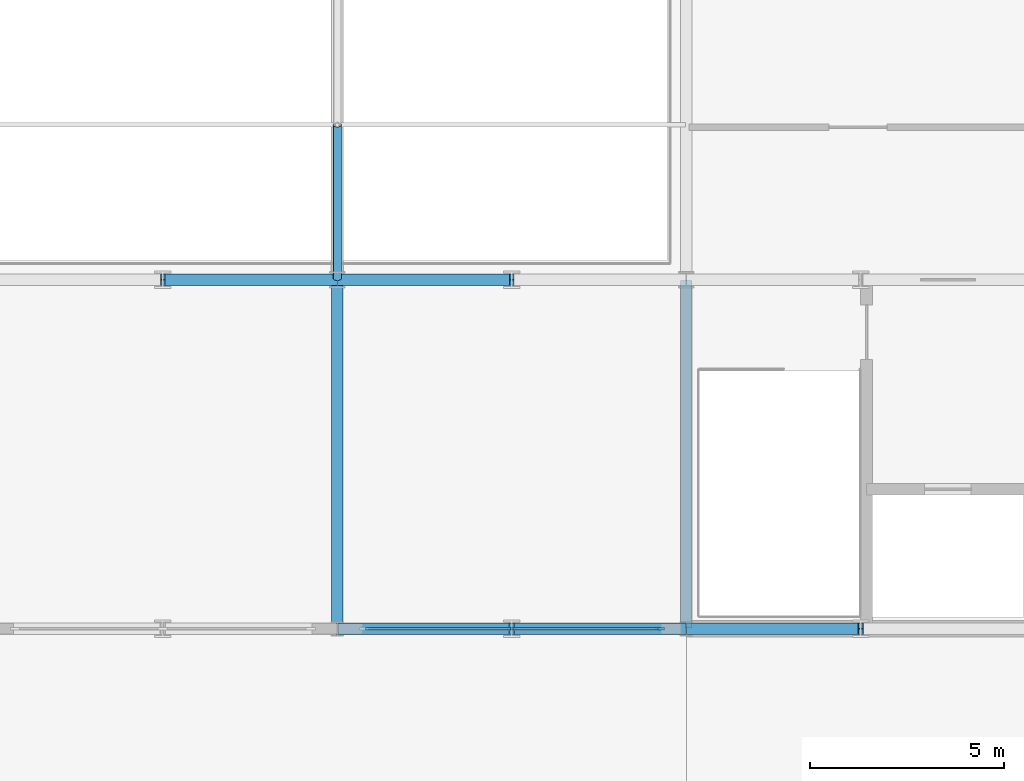
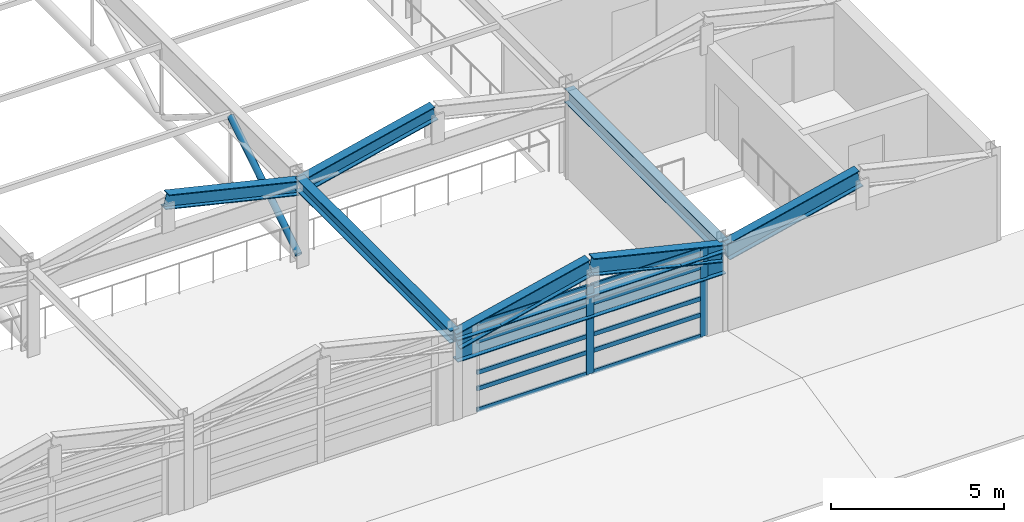
# One storey, part 27 of 91: 13 members, 8 beams, 1 element without a shape of its own.
"""IFC4 building model written with IfcOpenShell, lengths in metres."""

from ifc_helpers import new_model, si_unit, direction, frame, origin, origin_2d, place, context, subcontext, project, spatial, rectangle, hollow_circle, i_section, extrude, material, material_profile, profile_set, type_object, element, aggregate, save


model = new_model("IFC4")

# Units and contexts
model_context = context("Model", 3, precision=1e-05, world=origin(), true_north=direction((0.0, 1.0)))
body_context = subcontext(model_context, "Body", "Model", "MODEL_VIEW")
ifc_project = project(units=[si_unit("LENGTHUNIT", "METRE"), si_unit("AREAUNIT", "SQUARE_METRE"), si_unit("VOLUMEUNIT", "CUBIC_METRE"), si_unit("PLANEANGLEUNIT", "RADIAN"), si_unit("MASSUNIT", "GRAM", prefix="KILO")], contexts=[model_context])

# Site, building, storey
site_placement = place(None, origin())
site = spatial("IfcSite", under=ifc_project, at=site_placement, CompositionType="ELEMENT")
building_placement = place(site_placement, origin())
building = spatial("IfcBuilding", under=site, at=building_placement, Name="Palais des Congres Ocreval", CompositionType="ELEMENT")
storey_placement = place(building_placement, frame((0.0, 0.0, 8.159912109375)))
storey = spatial("IfcBuildingStorey", under=building, at=storey_placement, Name="L02", CompositionType="ELEMENT", Elevation=8.159912109375)

# Curtain wall, members
ifc_material_1 = material(Name="Anodized bronze aluminium and low-E glass", Category="glass")
curtain_wall_type = type_object("IfcCurtainWallType", Name="Unitised Curtain Wall 7900x3120", PredefinedType="USERDEFINED", material=ifc_material_1)
curtain_wall_placement = place(storey_placement, origin())
curtain_wall = element("IfcCurtainWall", 1, at=curtain_wall_placement, inside=storey, type_object=curtain_wall_type, Name="Unitised Curtain Wall CW03 L02", ObjectType="UNITISED CURTAIN WALL", PredefinedType="USERDEFINED")
ifc_material_2 = material(Name="Anodized bronze aluminium", Category="aluminium")
ifc_material_profile_1 = material_profile(ifc_material_2, rectangle(XDim=0.074951171875, YDim=0.239990234375, at=origin_2d()), Name="ALU 75x240")
ifc_profile_set_1 = profile_set([ifc_material_profile_1], Name="Anodized bronze aluminium")
member_type_1 = type_object("IfcMemberType", Name="Curtain Wall Mullion ALU 75x240", PredefinedType="MULLION", material=ifc_profile_set_1)
member_1_placement = place(storey_placement, frame((44.3125, 81.0, 0.0), z_axis=(0.0, 0.0, 1.0), x_axis=(0.0, -1.0, 0.0)))
member_1 = element("IfcMember", 2, at=member_1_placement, type_object=member_type_1, Name="Curtain Wall Mullion ML01", PredefinedType="MULLION", context=body_context, shape_type="SweptSolid", body=[
    extrude(rectangle(XDim=0.074951171875, YDim=0.239990234375, at=origin_2d()), origin(), (0.0, 0.0, 1.0), 3.110107421875),
])
member_2_placement = place(storey_placement, frame((40.5, 81.0, 0.0), z_axis=(0.0, 0.0, 1.0), x_axis=(0.0, -1.0, 0.0)))
member_2 = element("IfcMember", 3, at=member_2_placement, type_object=member_type_1, Name="Curtain Wall Mullion ML01", PredefinedType="MULLION", context=body_context, shape_type="SweptSolid", body=[
    extrude(rectangle(XDim=0.074951171875, YDim=0.239990234375, at=origin_2d()), origin(), (0.0, 0.0, 1.0), 3.110107421875),
])
ifc_material_profile_2 = material_profile(ifc_material_2, rectangle(XDim=0.06005859375, YDim=0.14990234375, at=origin_2d()), Name="ALU 60x150")
ifc_profile_set_2 = profile_set([ifc_material_profile_2], Name="Anodized bronze aluminium")
member_type_2 = type_object("IfcMemberType", Name="Curtain Wall Transom ALU 60x150", PredefinedType="USERDEFINED", material=ifc_profile_set_2)
member_3_placement = place(storey_placement, frame((44.27490234375, 81.0, 0.030029296875), z_axis=(-1.0, 0.0, 0.0), x_axis=(0.0, -1.0, 0.0)))
member_3 = element("IfcMember", 4, at=member_3_placement, type_object=member_type_2, Name="Curtain Wall Transom TR01", ObjectType="TRANSOM", PredefinedType="USERDEFINED", context=body_context, shape_type="SweptSolid", body=[
    extrude(rectangle(XDim=0.06005859375, YDim=0.14990234375, at=origin_2d()), origin(), (0.0, 0.0, 1.0), 3.7373046875),
])
member_4_placement = place(storey_placement, frame((44.27490234375, 81.0, 0.780029296875), z_axis=(-1.0, 0.0, 0.0), x_axis=(0.0, -1.0, 0.0)))
member_4 = element("IfcMember", 5, at=member_4_placement, type_object=member_type_2, Name="Curtain Wall Transom TR01", ObjectType="TRANSOM", PredefinedType="USERDEFINED", context=body_context, shape_type="SweptSolid", body=[
    extrude(rectangle(XDim=0.06005859375, YDim=0.14990234375, at=origin_2d()), origin(), (0.0, 0.0, 1.0), 3.7373046875),
])
member_5_placement = place(storey_placement, frame((44.27490234375, 81.0, 1.35302734375), z_axis=(-1.0, 0.0, 0.0), x_axis=(0.0, -1.0, 0.0)))
member_5 = element("IfcMember", 6, at=member_5_placement, type_object=member_type_2, Name="Curtain Wall Transom TR01", ObjectType="TRANSOM", PredefinedType="USERDEFINED", context=body_context, shape_type="SweptSolid", body=[
    extrude(rectangle(XDim=0.06005859375, YDim=0.14990234375, at=origin_2d()), origin(), (0.0, 0.0, 1.0), 3.7373046875),
])
member_6_placement = place(storey_placement, frame((44.27490234375, 81.0, 2.460205078125), z_axis=(-1.0, 0.0, 0.0), x_axis=(0.0, -1.0, 0.0)))
member_6 = element("IfcMember", 7, at=member_6_placement, type_object=member_type_2, Name="Curtain Wall Transom TR01", ObjectType="TRANSOM", PredefinedType="USERDEFINED", context=body_context, shape_type="SweptSolid", body=[
    extrude(rectangle(XDim=0.06005859375, YDim=0.14990234375, at=origin_2d()), origin(), (0.0, 0.0, 1.0), 3.7373046875),
])
member_7_placement = place(storey_placement, frame((44.27490234375, 81.0, 3.080078125), z_axis=(-1.0, 0.0, 0.0), x_axis=(0.0, -1.0, 0.0)))
member_7 = element("IfcMember", 8, at=member_7_placement, type_object=member_type_2, Name="Curtain Wall Transom TR01", ObjectType="TRANSOM", PredefinedType="USERDEFINED", context=body_context, shape_type="SweptSolid", body=[
    extrude(rectangle(XDim=0.06005859375, YDim=0.14990234375, at=origin_2d()), origin(), (0.0, 0.0, 1.0), 3.7373046875),
])
member_8_placement = place(storey_placement, frame((40.46240234375, 81.0, 0.030029296875), z_axis=(-1.0, 0.0, 0.0), x_axis=(0.0, -1.0, 0.0)))
member_8 = element("IfcMember", 9, at=member_8_placement, type_object=member_type_2, Name="Curtain Wall Transom TR01", ObjectType="TRANSOM", PredefinedType="USERDEFINED", context=body_context, shape_type="SweptSolid", body=[
    extrude(rectangle(XDim=0.06005859375, YDim=0.14990234375, at=origin_2d()), origin(), (0.0, 0.0, 1.0), 3.7373046875),
])
member_9_placement = place(storey_placement, frame((40.46240234375, 81.0, 0.780029296875), z_axis=(-1.0, 0.0, 0.0), x_axis=(0.0, -1.0, 0.0)))
member_9 = element("IfcMember", 10, at=member_9_placement, type_object=member_type_2, Name="Curtain Wall Transom TR01", ObjectType="TRANSOM", PredefinedType="USERDEFINED", context=body_context, shape_type="SweptSolid", body=[
    extrude(rectangle(XDim=0.06005859375, YDim=0.14990234375, at=origin_2d()), origin(), (0.0, 0.0, 1.0), 3.7373046875),
])
member_10_placement = place(storey_placement, frame((40.46240234375, 81.0, 1.35302734375), z_axis=(-1.0, 0.0, 0.0), x_axis=(0.0, -1.0, 0.0)))
member_10 = element("IfcMember", 11, at=member_10_placement, type_object=member_type_2, Name="Curtain Wall Transom TR01", ObjectType="TRANSOM", PredefinedType="USERDEFINED", context=body_context, shape_type="SweptSolid", body=[
    extrude(rectangle(XDim=0.06005859375, YDim=0.14990234375, at=origin_2d()), origin(), (0.0, 0.0, 1.0), 3.7373046875),
])
member_11_placement = place(storey_placement, frame((40.46240234375, 81.0, 2.460205078125), z_axis=(-1.0, 0.0, 0.0), x_axis=(0.0, -1.0, 0.0)))
member_11 = element("IfcMember", 12, at=member_11_placement, type_object=member_type_2, Name="Curtain Wall Transom TR01", ObjectType="TRANSOM", PredefinedType="USERDEFINED", context=body_context, shape_type="SweptSolid", body=[
    extrude(rectangle(XDim=0.06005859375, YDim=0.14990234375, at=origin_2d()), origin(), (0.0, 0.0, 1.0), 3.7373046875),
])
member_12_placement = place(storey_placement, frame((40.46240234375, 81.0, 3.080078125), z_axis=(-1.0, 0.0, 0.0), x_axis=(0.0, -1.0, 0.0)))
member_12 = element("IfcMember", 13, at=member_12_placement, type_object=member_type_2, Name="Curtain Wall Transom TR01", ObjectType="TRANSOM", PredefinedType="USERDEFINED", context=body_context, shape_type="SweptSolid", body=[
    extrude(rectangle(XDim=0.06005859375, YDim=0.14990234375, at=origin_2d()), origin(), (0.0, 0.0, 1.0), 3.7373046875),
])
aggregate(curtain_wall, [member_1, member_2, member_3, member_4, member_5, member_6, member_7, member_8, member_9, member_10, member_11, member_12])

# Member
ifc_material_3 = material(Name="Steel S355", Category="steel")
ifc_material_profile_3 = material_profile(ifc_material_3, hollow_circle(Radius=0.109619140625, WallThickness=0.012451171875, at=origin_2d()), Name="CHS 219.1x12.5")
ifc_profile_set_3 = profile_set([ifc_material_profile_3], Name="Steel S355")
member_type_3 = type_object("IfcMemberType", Name="Diagonal Brace CHS 219.1x12.5 Steel S355", PredefinedType="BRACE", material=ifc_profile_set_3)
member_13_placement = place(storey_placement, frame((36.0, 90.0400390625, 0.2900390625), z_axis=(0.0, 0.845587991701, 0.533836068743), x_axis=(-1.0, 0.0, 0.0)))
element("IfcMember", 14, at=member_13_placement, inside=storey, type_object=member_type_3, Name="ROOF TRUSS Diagonal V1-36-1", PredefinedType="BRACE", context=body_context, shape_type="SweptSolid", body=[
    extrude(hollow_circle(Radius=0.109619140625, WallThickness=0.012451171875, at=origin_2d()), origin(), (0.0, 0.0, 1.0), 4.68310546875),
])

# Beams
ifc_material_profile_4 = material_profile(ifc_material_3, i_section(OverallWidth=0.300048828125, OverallDepth=0.7900390625, WebThickness=0.014892578125, FlangeThickness=0.028076171875, at=origin_2d()), Name="HEA 800")
ifc_profile_set_4 = profile_set([ifc_material_profile_4], Name="Steel S355")
beam_type_1 = type_object("IfcBeamType", Name="Long-Span Girder HEA 800 Steel S355", PredefinedType="BEAM", material=ifc_profile_set_4)
beam_1_placement = place(storey_placement, frame((36.02001953125, 81.0, 2.43017578125), z_axis=(1.0, 0.0, 0.0), x_axis=(0.0, 1.0, 0.0)))
element("IfcBeam", 15, at=beam_1_placement, inside=storey, type_object=beam_type_1, Name="Beam B15 L02", PredefinedType="BEAM", context=body_context, shape_type="SweptSolid", body=[
    extrude(i_section(OverallWidth=0.300048828125, OverallDepth=0.7900390625, WebThickness=0.014892578125, FlangeThickness=0.028076171875, at=origin_2d()), origin(), (0.0, 0.0, 1.0), 8.9599609375),
])
ifc_material_profile_5 = material_profile(ifc_material_3, i_section(OverallWidth=0.300048828125, OverallDepth=0.43994140625, WebThickness=0.011474609375, FlangeThickness=0.02099609375, at=origin_2d()), Name="HEA 450")
ifc_profile_set_5 = profile_set([ifc_material_profile_5], Name="Steel S355")
beam_type_2 = type_object("IfcBeamType", Name="Primary Beam HEA 450 Steel S355", PredefinedType="BEAM", material=ifc_profile_set_5)
beam_2_placement = place(storey_placement, frame((36.0, 81.02001953125, 2.880126953125), z_axis=(0.0, 1.0, 0.0), x_axis=(-1.0, 0.0, 0.0)))
element("IfcBeam", 16, at=beam_2_placement, inside=storey, type_object=beam_type_2, Name="Girder B11 L02", PredefinedType="BEAM", context=body_context, shape_type="SweptSolid", body=[
    extrude(i_section(OverallWidth=0.300048828125, OverallDepth=0.43994140625, WebThickness=0.011474609375, FlangeThickness=0.02099609375, at=origin_2d()), origin(), (0.0, 0.0, 1.0), 8.9599609375),
])
ifc_material_profile_6 = material_profile(ifc_material_3, i_section(OverallWidth=0.300048828125, OverallDepth=0.489990234375, WebThickness=0.011962890625, FlangeThickness=0.02294921875, at=origin_2d()), Name="HEA 500")
ifc_profile_set_6 = profile_set([ifc_material_profile_6], Name="Steel S355")
beam_type_3 = type_object("IfcBeamType", Name="Primary Beam HEA 500 Steel S355", PredefinedType="BEAM", material=ifc_profile_set_6)
beam_3_placement = place(storey_placement, frame((45.0, 81.02001953125, 2.85498046875), z_axis=(0.0, 1.0, 0.0), x_axis=(-1.0, 0.0, 0.0)))
element("IfcBeam", 17, at=beam_3_placement, inside=storey, type_object=beam_type_3, Name="Girder B12 L02", PredefinedType="BEAM", context=body_context, shape_type="SweptSolid", body=[
    extrude(i_section(OverallWidth=0.300048828125, OverallDepth=0.489990234375, WebThickness=0.011962890625, FlangeThickness=0.02294921875, at=origin_2d()), origin(), (0.0, 0.0, 1.0), 8.9599609375),
])
ifc_material_profile_7 = material_profile(ifc_material_3, i_section(OverallWidth=0.300048828125, OverallDepth=0.5, WebThickness=0.014404296875, FlangeThickness=0.028076171875, at=origin_2d()), Name="HEB 500")
ifc_profile_set_7 = profile_set([ifc_material_profile_7], Name="Steel S355")
beam_type_4 = type_object("IfcBeamType", Name="ROOF TRUSS Rafter HEB 500 Steel S355", PredefinedType="BEAM", material=ifc_profile_set_7)
for number, where, z_axis, x_axis, name in (
    (18, (31.5, 90.0, 3.820068359375), (0.972896426025, 0.0, -0.231241311682), (0.0, 1.0, 0.0), "ROOF TRUSS Folded Rafter RFB1"),
    (19, (36.0400390625, 90.0, 2.760009765625), (0.972896426025, 0.0, 0.231241311682), (0.0, 1.0, 0.0), "ROOF TRUSS Folded Rafter RFB1"),
):
    element("IfcBeam", number, at=place(storey_placement, frame(where, z_axis=z_axis, x_axis=x_axis)), inside=storey, type_object=beam_type_4, Name=name, PredefinedType="BEAM", context=body_context, shape_type="SweptSolid", body=[
        extrude(i_section(OverallWidth=0.300048828125, OverallDepth=0.5, WebThickness=0.014404296875, FlangeThickness=0.028076171875, at=origin_2d()), origin(), (0.0, 0.0, 1.0), 4.584228515625),
    ])
ifc_material_profile_8 = material_profile(ifc_material_3, i_section(OverallWidth=0.300048828125, OverallDepth=0.60009765625, WebThickness=0.015380859375, FlangeThickness=0.030029296875, at=origin_2d()), Name="HEB 600")
ifc_profile_set_8 = profile_set([ifc_material_profile_8], Name="Steel S355")
beam_type_5 = type_object("IfcBeamType", Name="ROOF TRUSS Rafter HEB 600 Steel S355", PredefinedType="BEAM", material=ifc_profile_set_8)
for number, where, z_axis, x_axis, name in (
    (20, (36.0400390625, 81.0, 2.760009765625), (0.972896426025, 0.0, 0.231241311682), (0.0, 1.0, 0.0), "ROOF TRUSS Folded Rafter RFB2"),
    (21, (40.5, 81.0, 3.820068359375), (0.972896426025, 0.0, -0.231241311682), (0.0, 1.0, 0.0), "ROOF TRUSS Folded Rafter RFB2"),
    (22, (45.0400390625, 81.0, 2.760009765625), (0.972896426025, 0.0, 0.231241311682), (0.0, 1.0, 0.0), "ROOF TRUSS Folded Rafter RFB2"),
):
    element("IfcBeam", number, at=place(storey_placement, frame(where, z_axis=z_axis, x_axis=x_axis)), inside=storey, type_object=beam_type_5, Name=name, PredefinedType="BEAM", context=body_context, shape_type="SweptSolid", body=[
        extrude(i_section(OverallWidth=0.300048828125, OverallDepth=0.60009765625, WebThickness=0.015380859375, FlangeThickness=0.030029296875, at=origin_2d()), origin(), (0.0, 0.0, 1.0), 4.584228515625),
    ])

save(model, "model.ifc")
